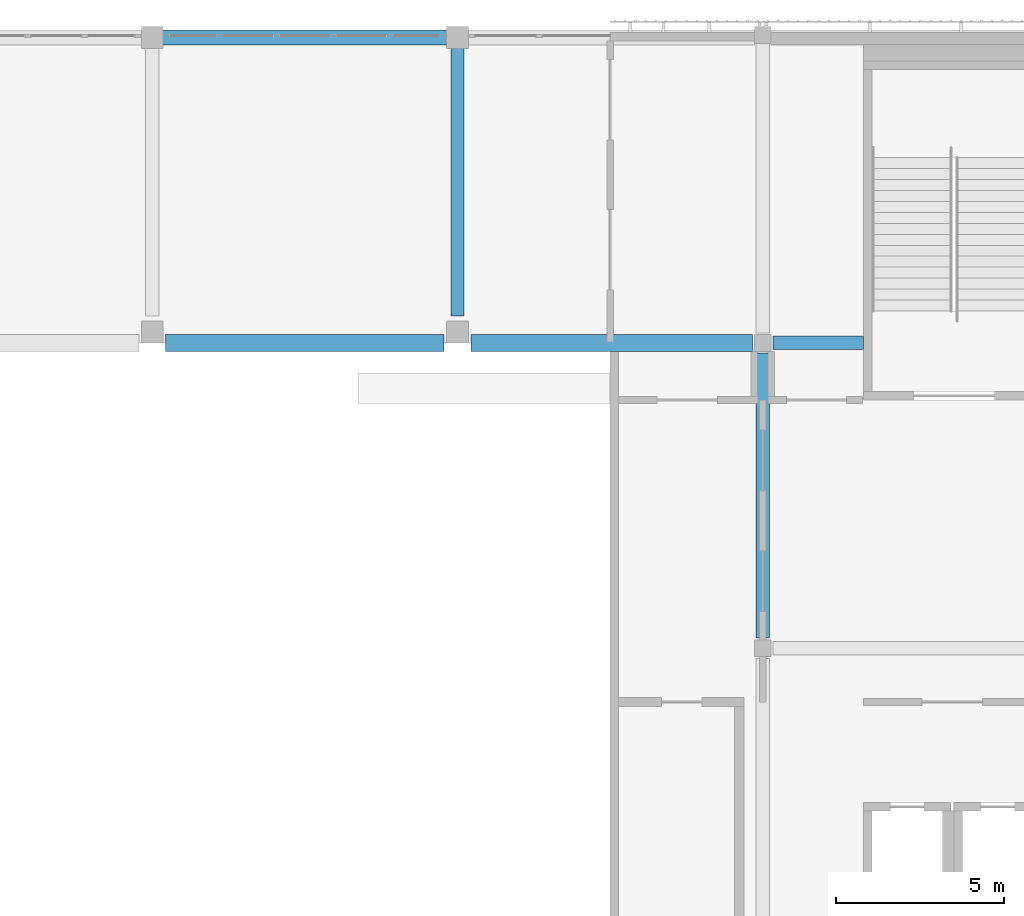
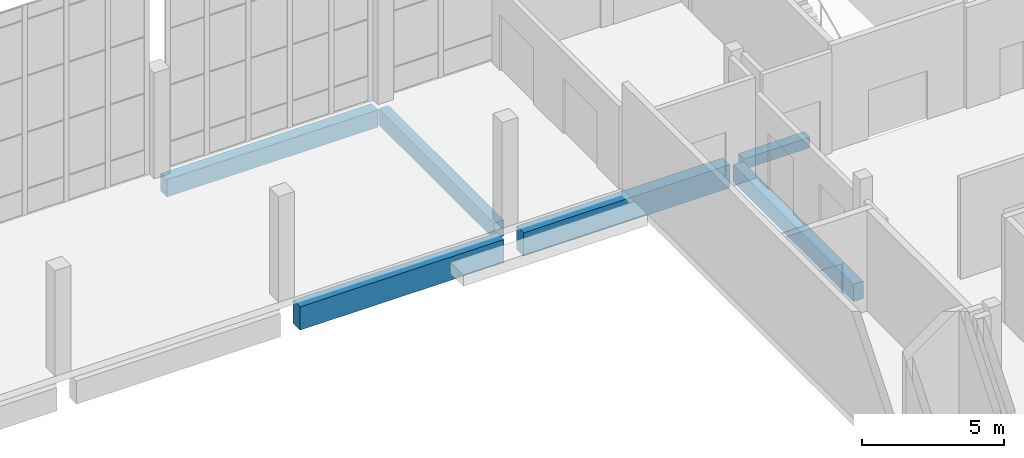
# One storey, part 23 of 91: 6 beams.
"""IFC4 building model written with IfcOpenShell, lengths in metres."""

from ifc_helpers import new_model, si_unit, direction, frame, origin, origin_2d, place, context, subcontext, project, spatial, rectangle, extrude, material, material_profile, profile_set, type_object, element, save


model = new_model("IFC4")

# Units and contexts
model_context = context("Model", 3, precision=1e-05, world=origin(), true_north=direction((0.0, 1.0)))
body_context = subcontext(model_context, "Body", "Model", "MODEL_VIEW")
ifc_project = project(units=[si_unit("LENGTHUNIT", "METRE"), si_unit("AREAUNIT", "SQUARE_METRE"), si_unit("VOLUMEUNIT", "CUBIC_METRE"), si_unit("PLANEANGLEUNIT", "RADIAN"), si_unit("MASSUNIT", "GRAM", prefix="KILO")], contexts=[model_context])

# Site, building, storey
site_placement = place(None, origin())
site = spatial("IfcSite", under=ifc_project, at=site_placement, CompositionType="ELEMENT")
building_placement = place(site_placement, origin())
building = spatial("IfcBuilding", under=site, at=building_placement, Name="Shirokan Park Arena", CompositionType="ELEMENT")
storey_placement = place(building_placement, frame((0.0, 0.0, 24.570068359375)))
storey = spatial("IfcBuildingStorey", under=building, at=storey_placement, Name="L05", CompositionType="ELEMENT", Elevation=24.570068359375)

# Beams
ifc_material = material(Name="Concrete C35", Category="concrete")
ifc_material_profile_1 = material_profile(ifc_material, rectangle(XDim=0.39990234375, YDim=0.699951171875, at=origin_2d()), Name="400x700")
ifc_profile_set_1 = profile_set([ifc_material_profile_1], Name="Concrete C35")
beam_type_1 = type_object("IfcBeamType", Name="RC girder 400x700", PredefinedType="BEAM", material=ifc_profile_set_1)
beam_1_placement = place(storey_placement, frame((100.10009765625, 100.900146484375, -0.650146484375), z_axis=(0.0, 1.0, 0.0), x_axis=(-1.0, 0.0, 0.0)))
element("IfcBeam", 1, at=beam_1_placement, inside=storey, type_object=beam_type_1, Name="Girder 12M-12N L05", PredefinedType="BEAM", context=body_context, shape_type="SweptSolid", body=[
    extrude(rectangle(XDim=0.39990234375, YDim=0.699951171875, at=origin_2d()), origin(), (0.0, 0.0, 1.0), 8.124755859375),
])
ifc_material_profile_2 = material_profile(ifc_material, rectangle(XDim=0.39990234375, YDim=0.75, at=origin_2d()), Name="400x750")
ifc_profile_set_2 = profile_set([ifc_material_profile_2], Name="Concrete C35")
beam_type_2 = type_object("IfcBeamType", Name="RC girder 400x750", PredefinedType="BEAM", material=ifc_profile_set_2)
beam_2_placement = place(storey_placement, frame((109.199951171875, 91.300048828125, -0.675048828125), z_axis=(0.0, 1.0, 0.0), x_axis=(-1.0, 0.0, 0.0)))
element("IfcBeam", 2, at=beam_2_placement, inside=storey, type_object=beam_type_2, Name="Girder 13L-13M L05", PredefinedType="BEAM", context=body_context, shape_type="SweptSolid", body=[
    extrude(rectangle(XDim=0.39990234375, YDim=0.75, at=origin_2d()), origin(), (0.0, 0.0, 1.0), 8.499755859375),
])
ifc_material_profile_3 = material_profile(ifc_material, rectangle(XDim=0.449951171875, YDim=0.75, at=origin_2d()), Name="450x750")
ifc_profile_set_3 = profile_set([ifc_material_profile_3], Name="Concrete C35")
beam_type_3 = type_object("IfcBeamType", Name="RC girder 450x750", PredefinedType="BEAM", material=ifc_profile_set_3)
beam_3_placement = place(storey_placement, frame((91.25, 109.199951171875, -0.675048828125), z_axis=(1.0, 0.0, 0.0), x_axis=(0.0, 1.0, 0.0)))
element("IfcBeam", 3, at=beam_3_placement, inside=storey, type_object=beam_type_3, Name="Girder 11N-12N L05", PredefinedType="BEAM", context=body_context, shape_type="SweptSolid", body=[
    extrude(rectangle(XDim=0.449951171875, YDim=0.75, at=origin_2d()), origin(), (0.0, 0.0, 1.0), 8.599853515625),
])
ifc_material_profile_4 = material_profile(ifc_material, rectangle(XDim=0.5, YDim=1.0, at=origin_2d()), Name="500x1000")
ifc_profile_set_4 = profile_set([ifc_material_profile_4], Name="Concrete C35")
beam_type_4 = type_object("IfcBeamType", Name="RC girder 500x1000", PredefinedType="BEAM", material=ifc_profile_set_4)
beam_4_placement = place(storey_placement, frame((91.400146484375, 100.10009765625, -0.800048828125), z_axis=(1.0, 0.0, 0.0), x_axis=(0.0, 1.0, 0.0)))
element("IfcBeam", 4, at=beam_4_placement, inside=storey, type_object=beam_type_4, Name="Girder 11M-12M L05", PredefinedType="BEAM", context=body_context, shape_type="SweptSolid", body=[
    extrude(rectangle(XDim=0.5, YDim=1.0, at=origin_2d()), origin(), (0.0, 0.0, 1.0), 8.2998046875),
])
beam_5_placement = place(storey_placement, frame((100.5, 100.10009765625, -0.800048828125), z_axis=(1.0, 0.0, 0.0), x_axis=(0.0, 1.0, 0.0)))
element("IfcBeam", 5, at=beam_5_placement, inside=storey, type_object=beam_type_4, Name="Girder 12M-13M L05", PredefinedType="BEAM", context=body_context, shape_type="SweptSolid", body=[
    extrude(rectangle(XDim=0.5, YDim=1.0, at=origin_2d()), origin(), (0.0, 0.0, 1.0), 8.39990234375),
])
ifc_material_profile_5 = material_profile(ifc_material, rectangle(XDim=0.39990234375, YDim=0.449951171875, at=origin_2d()), Name="400x450")
ifc_profile_set_5 = profile_set([ifc_material_profile_5], Name="Concrete C35")
beam_type_5 = type_object("IfcBeamType", Name="RC trimmer 400x450", PredefinedType="BEAM", material=ifc_profile_set_5)
beam_6_placement = place(storey_placement, frame((109.5, 100.10009765625, -0.525146484375), z_axis=(1.0, 0.0, 0.0), x_axis=(0.0, 1.0, 0.0)))
element("IfcBeam", 6, at=beam_6_placement, inside=storey, type_object=beam_type_5, Name="Girder 13M-14M L05", PredefinedType="BEAM", context=body_context, shape_type="SweptSolid", body=[
    extrude(rectangle(XDim=0.39990234375, YDim=0.449951171875, at=origin_2d()), origin(), (0.0, 0.0, 1.0), 2.699951171875),
])

save(model, "model.ifc")
